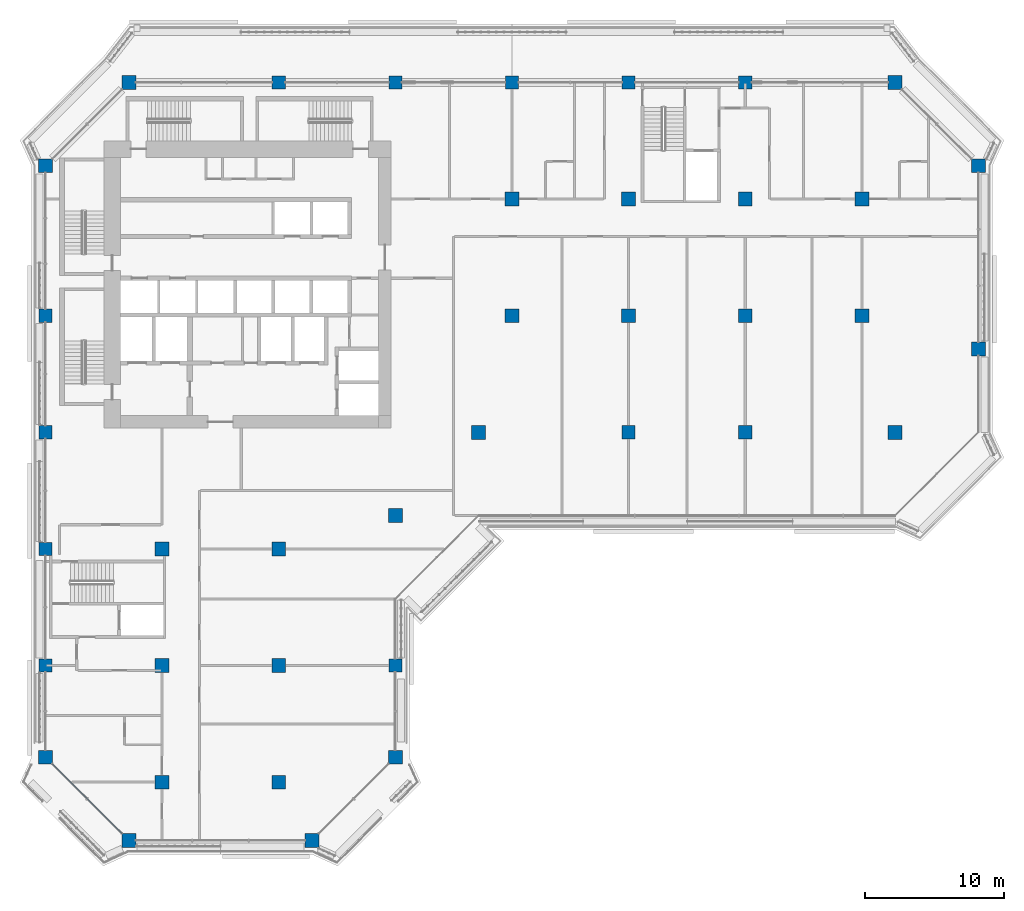
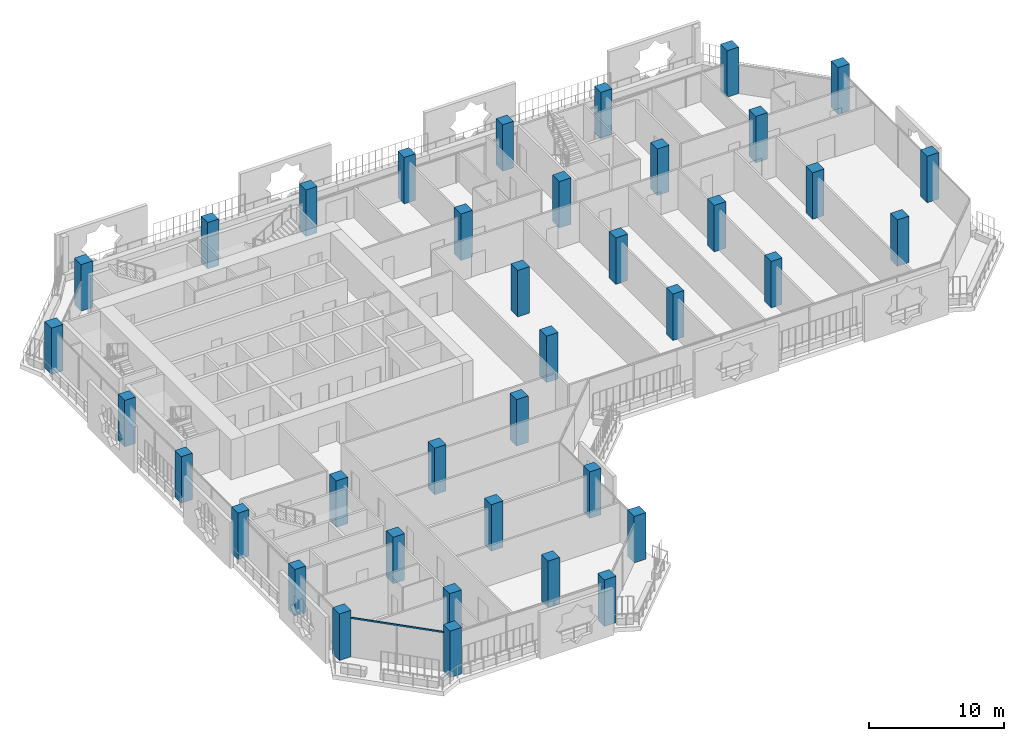
# One storey, part 1 of 22: 38 columns, 1 member, 1 element without a shape of its own.
"""IFC4 building model written with IfcOpenShell, lengths in metres."""

import ifcopenshell
import ifcopenshell.guid

model = None  # the IFC model being written
_history = None  # IfcOwnerHistory: only IFC2X3 demands one
_inside = {}  # id of a spatial element -> (the spatial element, [elements in it])
_under = {}  # id of a project, library or spatial element -> (it, [spatial elements below it])
_declared = {}  # id of a project -> (the project, [libraries it declares])
_typed = {}  # id of a type object -> (the type object, [elements of that type])
_made_of = {}  # id of a material, layer set ... -> (it, [elements and type objects made of it])


def new_model(schema):
    """Start an empty IFC model of exactly this schema.

    Asked for "IFC4X3", IfcOpenShell would pick the latest addendum, in which some entities
    have other attributes; the version numbers below select the first issue.
    IFC2X3 requires an IfcOwnerHistory on every rooted entity: one is made here for all.
    """
    global model, _history
    if schema == "IFC4X3":
        model = ifcopenshell.file(schema_version=(4, 3, 0, 0))
    else:
        model = ifcopenshell.file(schema=schema)
    _inside.clear()
    _under.clear()
    _declared.clear()
    _typed.clear()
    _made_of.clear()
    _history = None
    if model.schema == "IFC2X3":
        org = make("IfcOrganization", Name="unknown")
        user = make(
            "IfcPersonAndOrganization",
            ThePerson=make("IfcPerson", FamilyName="unknown"),
            TheOrganization=org,
        )
        app = make(
            "IfcApplication",
            ApplicationDeveloper=org,
            Version="unknown",
            ApplicationFullName="unknown",
            ApplicationIdentifier="unknown",
        )
        _history = make(
            "IfcOwnerHistory",
            OwningUser=user,
            OwningApplication=app,
            ChangeAction="ADDED",
            CreationDate=0,
        )
    return model


def make(cls, **values):
    """One entity of the class cls with the attributes given. An attribute that is None is left unset."""
    return model.create_entity(
        cls, **{name: value for name, value in values.items() if value is not None}
    )


def rooted(cls, **values):
    """An entity with a GlobalId (a new one), such as an element, a storey or a relation."""
    return make(cls, GlobalId=ifcopenshell.guid.new(), OwnerHistory=_history, **values)


def si_unit(unit_type, name, prefix=None):
    """IfcSIUnit, for example si_unit("LENGTHUNIT", "METRE", prefix="MILLI")."""
    return make("IfcSIUnit", UnitType=unit_type, Prefix=prefix, Name=name)


def assignment(units):
    """IfcUnitAssignment: the units of a project."""
    return None if units is None else make("IfcUnitAssignment", Units=units)


def point(xyz):
    """IfcCartesianPoint."""
    return None if xyz is None else make("IfcCartesianPoint", Coordinates=xyz)


def direction(xyz):
    """IfcDirection."""
    return None if xyz is None else make("IfcDirection", DirectionRatios=xyz)


def frame(location, z_axis=None, x_axis=None):
    """IfcAxis2Placement3D, a coordinate frame: its origin and axes. An axis left out is left unset."""
    return make(
        "IfcAxis2Placement3D",
        Location=point(location),
        Axis=direction(z_axis),
        RefDirection=direction(x_axis),
    )


def frame_2d(location, x_axis=None):
    """IfcAxis2Placement2D, a coordinate frame in the plane: its origin and x axis."""
    return make(
        "IfcAxis2Placement2D", Location=point(location), RefDirection=direction(x_axis)
    )


def origin():
    """The frame at (0, 0, 0) with its axes left unset."""
    return frame((0.0, 0.0, 0.0))


def origin_2d():
    """The frame at (0, 0) in the plane with its x axis left unset."""
    return frame_2d((0.0, 0.0))


def place(relative_to, where):
    """IfcLocalPlacement: puts the frame where relative to a parent placement (None: the world)."""
    return make(
        "IfcLocalPlacement", PlacementRelTo=relative_to, RelativePlacement=where
    )


def context(
    kind, dimensions, precision=None, world=None, true_north=None, identifier=None
):
    """IfcGeometricRepresentationContext, for example the 3D "Model" context."""
    return make(
        "IfcGeometricRepresentationContext",
        ContextIdentifier=identifier,
        ContextType=kind,
        CoordinateSpaceDimension=dimensions,
        Precision=precision,
        WorldCoordinateSystem=world,
        TrueNorth=true_north,
    )


def subcontext(parent, identifier, kind, view, scale=None):
    """IfcGeometricRepresentationSubContext, for example "Body" below "Model"."""
    return make(
        "IfcGeometricRepresentationSubContext",
        ContextIdentifier=identifier,
        ContextType=kind,
        ParentContext=parent,
        TargetScale=scale,
        TargetView=view,
    )


def project(units=None, contexts=None):
    """IfcProject with its units and contexts."""
    return rooted(
        "IfcProject",
        Name="project",
        RepresentationContexts=contexts,
        UnitsInContext=assignment(units),
    )


def spatial(cls, under=None, at=None, **own):
    """A site, building, storey or space (cls), placed at a placement, below another one or the project."""
    s = rooted(cls, ObjectPlacement=at, **own)
    if under is not None:
        _under.setdefault(under.id(), (under, []))[1].append(s)
    return s


def profile(cls, at=None, kind="AREA", **sizes):
    """A parametric profile (cls). Its sizes go by their IFC names, for example OverallWidth=200.0."""
    return make(cls, ProfileType=kind, Position=at, **sizes)


def rectangle(**sizes):
    """IfcRectangleProfileDef."""
    return profile("IfcRectangleProfileDef", **sizes)


def extrude(swept, where, along, depth):
    """IfcExtrudedAreaSolid: the profile swept, set in the frame where, extruded along a direction by depth."""
    return make(
        "IfcExtrudedAreaSolid",
        SweptArea=swept,
        Position=where,
        ExtrudedDirection=direction(along),
        Depth=depth,
    )


def shape(context_of_items, identifier, shape_type, items):
    """IfcShapeRepresentation: the items that make up one representation, for example the "Body"."""
    return make(
        "IfcShapeRepresentation",
        ContextOfItems=context_of_items,
        RepresentationIdentifier=identifier,
        RepresentationType=shape_type,
        Items=items,
    )


def material(Name=None, Category=None):
    """IfcMaterial."""
    return make("IfcMaterial", Name=Name, Category=Category)


def layer(
    of_material, thickness, ventilated=None, Name=None, Category=None, Priority=None
):
    """IfcMaterialLayer: one layer of a wall or slab, of a material (None: an air gap)."""
    return make(
        "IfcMaterialLayer",
        Material=of_material,
        LayerThickness=thickness,
        IsVentilated=ventilated,
        Name=Name,
        Category=Category,
        Priority=Priority,
    )


def layer_set(layers, Name=None):
    """IfcMaterialLayerSet."""
    return make("IfcMaterialLayerSet", MaterialLayers=layers, LayerSetName=Name)


def material_profile(
    of_material, cross_section, Name=None, Category=None, Priority=None
):
    """IfcMaterialProfile: a cross section and its material."""
    return make(
        "IfcMaterialProfile",
        Name=Name,
        Material=of_material,
        Profile=cross_section,
        Priority=Priority,
        Category=Category,
    )


def profile_set(profiles, Name=None, composite=None):
    """IfcMaterialProfileSet."""
    return make(
        "IfcMaterialProfileSet",
        Name=Name,
        MaterialProfiles=profiles,
        CompositeProfile=composite,
    )


def made_of(thing, what):
    """Note that an element or type object is made of a material, layer set ...; save() writes the relation."""
    if what is not None:
        _made_of.setdefault(what.id(), (what, []))[1].append(thing)
    return thing


def type_object(cls, material=None, **own):
    """A type object (cls), such as IfcWallType, which elements share."""
    return made_of(rooted(cls, **own), material)


def element(
    cls,
    number,
    at=None,
    inside=None,
    cuts=None,
    type_object=None,
    material=None,
    context=None,
    identifier="Body",
    shape_type=None,
    held_by="IfcProductDefinitionShape",
    body=None,
    shapes=None,
    **own,
):
    """One element of the class cls, such as IfcWall. Its Tag is "e" and its number.

    at: its placement. inside: the storey or other place that contains it. cuts: it is an
    opening in that element (IfcRelVoidsElement). A single representation is given by context,
    identifier, shape_type and body (its items); several are given by shapes. held_by: the class
    of the entity that holds the representations. save() writes the other relations.
    """
    e = rooted(cls, Tag="e%d" % number, ObjectPlacement=at, **own)
    if body is not None:
        shapes = [shape(context, identifier, shape_type, body)]
    if shapes is not None:
        e.Representation = make(held_by, Representations=shapes)
    if inside is not None:
        _inside.setdefault(inside.id(), (inside, []))[1].append(e)
    if cuts is not None:
        rooted(
            "IfcRelVoidsElement", RelatingBuildingElement=cuts, RelatedOpeningElement=e
        )
    if type_object is not None:
        _typed.setdefault(type_object.id(), (type_object, []))[1].append(e)
    return made_of(e, material)


def aggregate(whole, parts):
    """IfcRelAggregates: a whole, such as a stair, and the parts it consists of."""
    return rooted("IfcRelAggregates", RelatingObject=whole, RelatedObjects=parts)


def save(model, path):
    """Write the relations noted so far, then the file.

    IfcRelAggregates (storeys below a building ...), IfcRelContainedInSpatialStructure (elements
    in a storey), IfcRelDefinesByType, IfcRelAssociatesMaterial and IfcRelDeclares: one each for
    every whole, place, type object, material and project.
    """
    for whole, parts in _under.values():
        aggregate(whole, parts)
    for where, things in _inside.values():
        rooted(
            "IfcRelContainedInSpatialStructure",
            RelatedElements=things,
            RelatingStructure=where,
        )
    for kind, things in _typed.values():
        rooted("IfcRelDefinesByType", RelatedObjects=things, RelatingType=kind)
    for what, things in _made_of.values():
        rooted("IfcRelAssociatesMaterial", RelatedObjects=things, RelatingMaterial=what)
    for by, libraries in _declared.values():
        rooted("IfcRelDeclares", RelatingContext=by, RelatedDefinitions=libraries)
    model.write(path)


model = new_model("IFC4")

# Units and contexts
model_context = context("Model", 3, precision=1e-05, world=origin(), true_north=direction((0.0, 1.0)))
body_context = subcontext(model_context, "Body", "Model", "MODEL_VIEW")
ifc_project = project(units=[si_unit("LENGTHUNIT", "METRE"), si_unit("AREAUNIT", "SQUARE_METRE"), si_unit("VOLUMEUNIT", "CUBIC_METRE"), si_unit("PLANEANGLEUNIT", "RADIAN"), si_unit("MASSUNIT", "GRAM", prefix="KILO")], contexts=[model_context])

# Site, building, storey
site_placement = place(None, origin())
site = spatial("IfcSite", under=ifc_project, at=site_placement, CompositionType="ELEMENT")
building_placement = place(site_placement, origin())
building = spatial("IfcBuilding", under=site, at=building_placement, Name="Kawkab Arch Medical Tower", CompositionType="ELEMENT")
storey_placement = place(building_placement, frame((0.0, 0.0, 179.39990234375)))
storey = spatial("IfcBuildingStorey", under=building, at=storey_placement, Name="L41", CompositionType="ELEMENT", Elevation=179.39990234375)

# Columns
ifc_material_1 = material(Name="Concrete C50/60", Category="concrete")
ifc_material_profile_1 = material_profile(ifc_material_1, rectangle(XDim=1.0, YDim=1.0, at=origin_2d()), Name="RC 1000x1000")
ifc_profile_set_1 = profile_set([ifc_material_profile_1], Name="Concrete C50/60")
column_type_1 = type_object("IfcColumnType", Name="RC 1000x1000 column C50/60", PredefinedType="COLUMN", material=ifc_profile_set_1)
for number, where, z_axis, x_axis, name in (
    (1, (6.0, 0.0, 0.0), (0.0, 0.0, 1.0), (1.0, 0.0, 0.0), "Column RC 1000x1000"),
    (2, (61.199951171875, 0.0, 0.0), (0.0, 0.0, 1.0), (1.0, 0.0, 0.0), "Column RC 1000x1000"),
    (3, (0.0, -6.0, 0.0), (0.0, 0.0, 1.0), (1.0, 0.0, 0.0), "Column RC 1000x1000"),
    (4, (67.199951171875, -6.0, 0.0), (0.0, 0.0, 1.0), (1.0, 0.0, 0.0), "Column RC 1000x1000"),
    (5, (33.60009765625, -8.39990234375, 0.0), (0.0, 0.0, 1.0), (1.0, 0.0, 0.0), "Column RC 1000x1000"),
    (6, (42.0, -8.39990234375, 0.0), (0.0, 0.0, 1.0), (1.0, 0.0, 0.0), "Column RC 1000x1000"),
    (7, (50.39990234375, -8.39990234375, 0.0), (0.0, 0.0, 1.0), (1.0, 0.0, 0.0), "Column RC 1000x1000"),
    (8, (58.800048828125, -8.39990234375, 0.0), (0.0, 0.0, 1.0), (1.0, 0.0, 0.0), "Column RC 1000x1000"),
    (9, (33.60009765625, -16.800048828125, 0.0), (0.0, 0.0, 1.0), (1.0, 0.0, 0.0), "Column RC 1000x1000"),
    (10, (42.0, -16.800048828125, 0.0), (0.0, 0.0, 1.0), (1.0, 0.0, 0.0), "Column RC 1000x1000"),
    (11, (50.39990234375, -16.800048828125, 0.0), (0.0, 0.0, 1.0), (1.0, 0.0, 0.0), "Column RC 1000x1000"),
    (12, (58.800048828125, -16.800048828125, 0.0), (0.0, 0.0, 1.0), (1.0, 0.0, 0.0), "Column RC 1000x1000"),
    (13, (67.199951171875, -19.199951171875, 0.0), (0.0, 0.0, 1.0), (1.0, 0.0, 0.0), "Column RC 1000x1000"),
    (14, (31.199951171875, -25.199951171875, 0.0), (0.0, 0.0, 1.0), (1.0, 0.0, 0.0), "Column RC 1000x1000"),
    (15, (61.199951171875, -25.199951171875, 0.0), (0.0, 0.0, 1.0), (1.0, 0.0, 0.0), "Column RC 1000x1000"),
    (16, (25.199951171875, -31.199951171875, 0.0), (0.0, 0.0, 1.0), (1.0, 0.0, 0.0), "Column RC 1000x1000"),
    (17, (8.39990234375, -33.60009765625, 0.0), (0.0, 0.0, 1.0), (1.0, 0.0, 0.0), "Column RC 1000x1000"),
    (18, (16.800048828125, -33.60009765625, 0.0), (0.0, 0.0, 1.0), (1.0, 0.0, 0.0), "Column RC 1000x1000"),
    (19, (8.39990234375, -42.0, 0.0), (0.0, 0.0, 1.0), (1.0, 0.0, 0.0), "Column RC 1000x1000"),
    (20, (16.800048828125, -42.0, 0.0), (0.0, 0.0, 1.0), (1.0, 0.0, 0.0), "Column RC 1000x1000"),
    (21, (0.0, -48.60009765625, 0.0), (0.0, 0.0, 1.0), (1.0, 0.0, 0.0), "Column RC 1000x1000"),
    (22, (25.199951171875, -48.60009765625, 0.0), (0.0, 0.0, 1.0), (1.0, 0.0, 0.0), "Column RC 1000x1000"),
    (23, (8.39990234375, -50.39990234375, 0.0), (0.0, 0.0, 1.0), (1.0, 0.0, 0.0), "Column RC 1000x1000"),
    (24, (16.800048828125, -50.39990234375, 0.0), (0.0, 0.0, 1.0), (1.0, 0.0, 0.0), "Column RC 1000x1000"),
    (25, (6.0, -54.60009765625, 0.0), (0.0, 0.0, 1.0), (1.0, 0.0, 0.0), "Column RC 1000x1000"),
    (26, (19.199951171875, -54.60009765625, 0.0), (0.0, 0.0, 1.0), (1.0, 0.0, 0.0), "Column RC 1000x1000"),
):
    element("IfcColumn", number, at=place(storey_placement, frame(where, z_axis=z_axis, x_axis=x_axis)), inside=storey, type_object=column_type_1, Name=name, PredefinedType="COLUMN", context=body_context, shape_type="SweptSolid", body=[
        extrude(rectangle(XDim=1.0, YDim=1.0, at=origin_2d()), origin(), (0.0, 0.0, 1.0), 4.2001953125),
    ])
ifc_material_2 = material(Name="Concrete C50/60", Category="concrete")
ifc_material_profile_2 = material_profile(ifc_material_2, rectangle(XDim=0.949951171875, YDim=0.949951171875, at=origin_2d()), Name="RC 950x950")
ifc_profile_set_2 = profile_set([ifc_material_profile_2], Name="Concrete C50/60")
column_type_2 = type_object("IfcColumnType", Name="RC 950x950 column C50/60", PredefinedType="COLUMN", material=ifc_profile_set_2)
for number, where, z_axis, x_axis, name in (
    (27, (16.800048828125, 0.0, 0.0), (0.0, 0.0, 1.0), (1.0, 0.0, 0.0), "Column RC 950x950"),
    (28, (25.199951171875, 0.0, 0.0), (0.0, 0.0, 1.0), (1.0, 0.0, 0.0), "Column RC 950x950"),
    (29, (33.60009765625, 0.0, 0.0), (0.0, 0.0, 1.0), (1.0, 0.0, 0.0), "Column RC 950x950"),
    (30, (42.0, 0.0, 0.0), (0.0, 0.0, 1.0), (1.0, 0.0, 0.0), "Column RC 950x950"),
    (31, (50.39990234375, 0.0, 0.0), (0.0, 0.0, 1.0), (1.0, 0.0, 0.0), "Column RC 950x950"),
    (32, (0.0, -16.800048828125, 0.0), (0.0, 0.0, 1.0), (1.0, 0.0, 0.0), "Column RC 950x950"),
    (33, (0.0, -25.199951171875, 0.0), (0.0, 0.0, 1.0), (1.0, 0.0, 0.0), "Column RC 950x950"),
    (34, (42.0, -25.199951171875, 0.0), (0.0, 0.0, 1.0), (1.0, 0.0, 0.0), "Column RC 950x950"),
    (35, (50.39990234375, -25.199951171875, 0.0), (0.0, 0.0, 1.0), (1.0, 0.0, 0.0), "Column RC 950x950"),
    (36, (0.0, -33.60009765625, 0.0), (0.0, 0.0, 1.0), (1.0, 0.0, 0.0), "Column RC 950x950"),
    (37, (0.0, -42.0, 0.0), (0.0, 0.0, 1.0), (1.0, 0.0, 0.0), "Column RC 950x950"),
    (38, (25.199951171875, -42.0, 0.0), (0.0, 0.0, 1.0), (1.0, 0.0, 0.0), "Column RC 950x950"),
):
    element("IfcColumn", number, at=place(storey_placement, frame(where, z_axis=z_axis, x_axis=x_axis)), inside=storey, type_object=column_type_2, Name=name, PredefinedType="COLUMN", context=body_context, shape_type="SweptSolid", body=[
        extrude(rectangle(XDim=0.949951171875, YDim=0.949951171875, at=origin_2d()), origin(), (0.0, 0.0, 1.0), 4.2001953125),
    ])

# Curtain wall, member
ifc_material_3 = material(Name="Bronze anodised aluminium curtain wall frame", Category="aluminium")
ifc_layer = layer(ifc_material_3, 0.159912109375)
ifc_layer_set = layer_set([ifc_layer], Name="Bronze anodised aluminium curtain wall frame")
curtain_wall_type = type_object("IfcCurtainWallType", Name="CW2 chamfer curtain wall", PredefinedType="NOTDEFINED", material=ifc_layer_set)
curtain_wall_placement = place(storey_placement, origin())
curtain_wall = element("IfcCurtainWall", 39, at=curtain_wall_placement, inside=storey, type_object=curtain_wall_type, Name="CW2 Chamfer curtain wall R02", PredefinedType="NOTDEFINED")
ifc_material_4 = material(Name="Bronze anodised aluminium curtain wall frame", Category="aluminium")
ifc_material_profile_3 = material_profile(ifc_material_4, rectangle(XDim=0.06005859375, YDim=0.139892578125, at=origin_2d()), Name="AL 60x140")
ifc_profile_set_3 = profile_set([ifc_material_profile_3], Name="Bronze anodised aluminium curtain wall frame")
member_type = type_object("IfcMemberType", Name="CW2 transom 140 x 60", PredefinedType="USERDEFINED", material=ifc_profile_set_3)
member_placement = place(storey_placement, frame((0.5, -49.10009765625, 3.530029296875), z_axis=(0.707106781187, -0.707106781187, 0.0), x_axis=(0.707106781187, 0.707106781187, 0.0)))
member = element("IfcMember", 40, at=member_placement, type_object=member_type, Name="CW2 transom 1", ObjectType="TRANSOM", PredefinedType="USERDEFINED", context=body_context, shape_type="SweptSolid", body=[
    extrude(rectangle(XDim=0.06005859375, YDim=0.139892578125, at=origin_2d()), origin(), (0.0, 0.0, 1.0), 7.071044921875),
])
aggregate(curtain_wall, [member])

save(model, "model.ifc")
